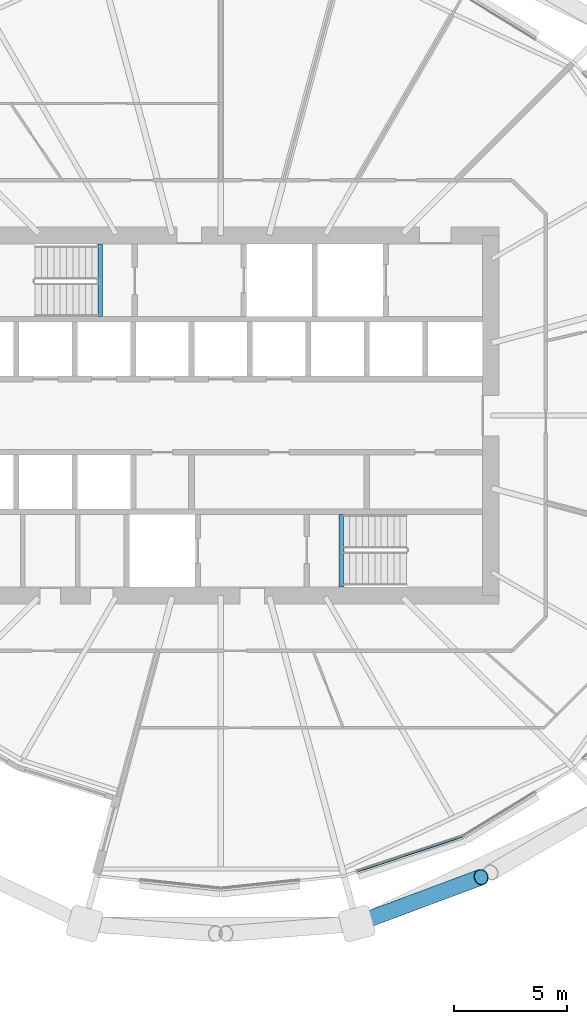
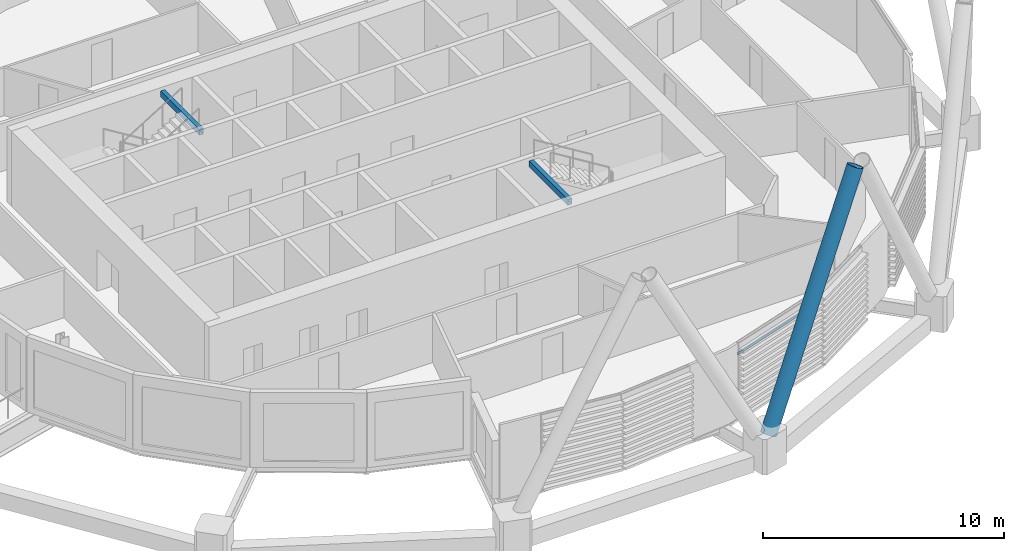
# One storey, part 6 of 38: 2 beams, 2 members, 1 element without a shape of its own.
"""IFC4 building model written with IfcOpenShell, lengths in metres."""

from ifc_helpers import new_model, si_unit, direction, frame, origin, origin_2d, place, context, subcontext, project, spatial, rectangle, hollow_rectangle, hollow_circle, extrude, material, material_profile, profile_set, type_object, element, aggregate, save


model = new_model("IFC4")

# Units and contexts
model_context = context("Model", 3, precision=1e-05, world=origin(), true_north=direction((0.0, 1.0)))
body_context = subcontext(model_context, "Body", "Model", "MODEL_VIEW")
ifc_project = project(units=[si_unit("LENGTHUNIT", "METRE"), si_unit("AREAUNIT", "SQUARE_METRE"), si_unit("VOLUMEUNIT", "CUBIC_METRE"), si_unit("PLANEANGLEUNIT", "RADIAN"), si_unit("MASSUNIT", "GRAM", prefix="KILO")], contexts=[model_context])

# Site, building, storey
site_placement = place(None, origin())
site = spatial("IfcSite", under=ifc_project, at=site_placement, CompositionType="ELEMENT")
building_placement = place(site_placement, origin())
building = spatial("IfcBuilding", under=site, at=building_placement, Name="Rimbun Link Towers", CompositionType="ELEMENT")
storey_placement = place(building_placement, frame((0.0, 0.0, 93.0)))
storey = spatial("IfcBuildingStorey", under=building, at=storey_placement, Name="L22", CompositionType="ELEMENT", Elevation=93.0)

# Curtain wall, member
ifc_material_1 = material(Name="Aluminium 6063-T6 and low-iron glass", Category="aluminium")
curtain_wall_type = type_object("IfcCurtainWallType", Name="CW1-Z2 unitised vision wall (zone 2)", PredefinedType="NOTDEFINED", material=ifc_material_1)
curtain_wall_placement = place(storey_placement, origin())
curtain_wall = element("IfcCurtainWall", 1, at=curtain_wall_placement, inside=storey, type_object=curtain_wall_type, Name="CW1 L22 T1", PredefinedType="NOTDEFINED")
ifc_material_2 = material(Name="Aluminium 6063-T6", Category="aluminium")
ifc_material_profile_1 = material_profile(ifc_material_2, rectangle(XDim=0.06005859375, YDim=0.1201171875, at=origin_2d()), Name="TRANSOM 60X120")
ifc_profile_set_1 = profile_set([ifc_material_profile_1], Name="Aluminium 6063-T6")
member_type_1 = type_object("IfcMemberType", Name="CW1 transom 60X120", PredefinedType="USERDEFINED", material=ifc_profile_set_1)
member_1_placement = place(storey_placement, frame((-20.9951171875, -18.7099609375, 3.199951171875), z_axis=(-0.949232441731, -0.314575541906, 0.0), x_axis=(0.314575541906, -0.949232441731, 0.0)))
member_1 = element("IfcMember", 2, at=member_1_placement, type_object=member_type_1, Name="CW1 transom", ObjectType="TRANSOM", PredefinedType="USERDEFINED", context=body_context, shape_type="SweptSolid", body=[
    extrude(rectangle(XDim=0.06005859375, YDim=0.1201171875, at=origin_2d()), origin(), (0.0, 0.0, 1.0), 4.921875),
])
aggregate(curtain_wall, [member_1])

# Member
ifc_material_3 = material(Name="Steel S460NH", Category="steel")
ifc_material_profile_2 = material_profile(ifc_material_3, hollow_circle(Radius=0.355712890625, WallThickness=0.031982421875, at=origin_2d()), Name="Diagrid diagonal CHS 711x32")
ifc_profile_set_2 = profile_set([ifc_material_profile_2], Name="Steel S460NH")
member_type_2 = type_object("IfcMemberType", Name="Diagrid diagonal CHS 711x32", PredefinedType="BRACE", material=ifc_profile_set_2)
member_2_placement = place(storey_placement, frame((-25.479248046875, -22.49169921875, 0.440185546875), z_axis=(0.443722358353, 0.165982002404, 0.880659096118), x_axis=(-0.350357403198, 0.936616084649, 0.0)))
element("IfcMember", 3, at=member_2_placement, inside=storey, type_object=member_type_2, Name="Diagrid diagonal T1 L22-L25 19b", PredefinedType="BRACE", context=body_context, shape_type="SweptSolid", body=[
    extrude(hollow_circle(Radius=0.355712890625, WallThickness=0.031982421875, at=origin_2d()), origin(), (0.0, 0.0, 1.0), 11.945068359375),
])

# Beams
ifc_material_4 = material(Name="Steel S355J2", Category="steel")
ifc_material_profile_3 = material_profile(ifc_material_4, hollow_rectangle(XDim=0.199951171875, YDim=0.300048828125, WallThickness=0.011962890625, at=origin_2d()), Name="BOX 300x200x12")
ifc_profile_set_3 = profile_set([ifc_material_profile_3], Name="Steel S355J2")
beam_type = type_object("IfcBeamType", Name="Stair trimmer beam BOX 300x200x12", PredefinedType="BEAM", material=ifc_profile_set_3)
for number, where, z_axis, x_axis, name in (
    (4, (-37.10009765625, 7.625, 3.489990234375), (0.0, -1.0, 0.0), (1.0, 0.0, 0.0), "L22 ST1 stair beam 1"),
    (5, (-26.39990234375, -7.625, 3.489990234375), (0.0, 1.0, 0.0), (-1.0, 0.0, 0.0), "L22 ST2 stair beam 1"),
):
    element("IfcBeam", number, at=place(storey_placement, frame(where, z_axis=z_axis, x_axis=x_axis)), inside=storey, type_object=beam_type, Name=name, PredefinedType="BEAM", context=body_context, shape_type="SweptSolid", body=[
        extrude(hollow_rectangle(XDim=0.199951171875, YDim=0.300048828125, WallThickness=0.011962890625, at=origin_2d()), origin(), (0.0, 0.0, 1.0), 3.22509765625),
    ])

save(model, "model.ifc")
